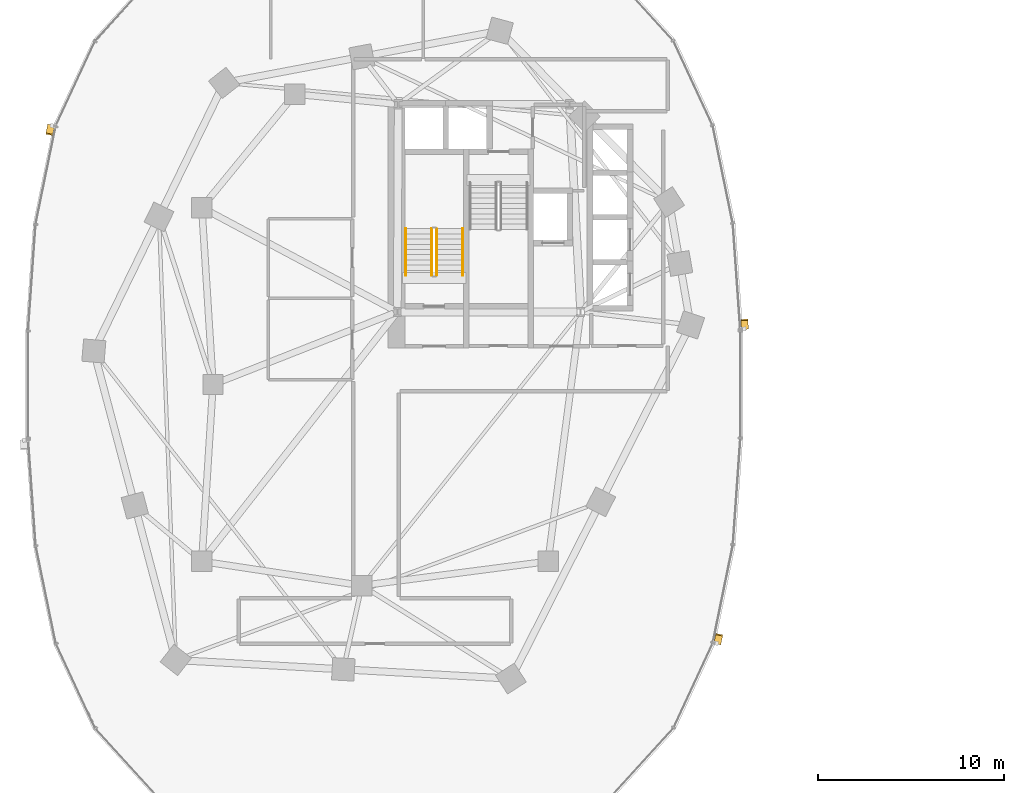
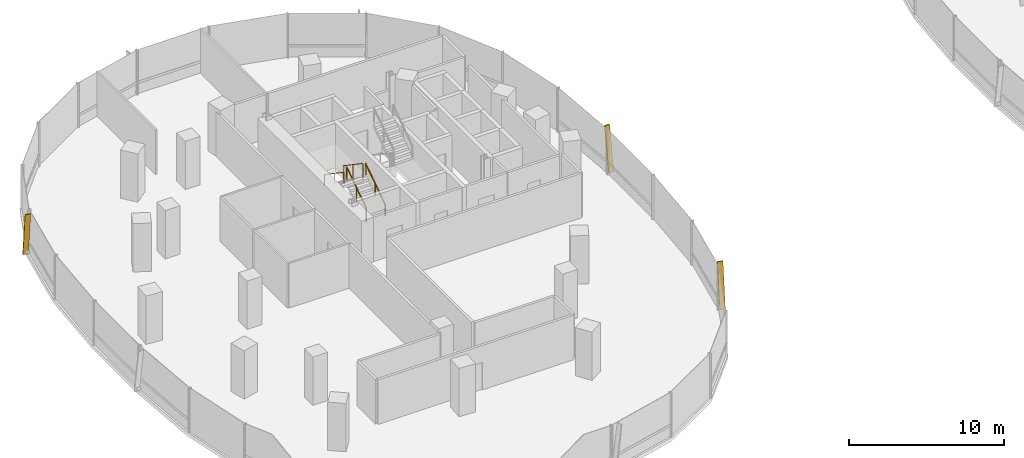
# One storey, part 18 of 21: 4 railings, 3 shading devices.
"""IFC4 building model written with IfcOpenShell, lengths in metres."""

from ifc_helpers import new_model, si_unit, direction, frame, origin, origin_2d, place, context, subcontext, project, spatial, rectangle, extrude, material, material_profile, profile_set, type_object, element, save


model = new_model("IFC4")

# Units and contexts
model_context = context("Model", 3, precision=1e-05, world=origin(), true_north=direction((0.0, 1.0)))
body_context = subcontext(model_context, "Body", "Model", "MODEL_VIEW")
ifc_project = project(units=[si_unit("LENGTHUNIT", "METRE"), si_unit("AREAUNIT", "SQUARE_METRE"), si_unit("VOLUMEUNIT", "CUBIC_METRE"), si_unit("PLANEANGLEUNIT", "RADIAN"), si_unit("MASSUNIT", "GRAM", prefix="KILO"), si_unit("THERMODYNAMICTEMPERATUREUNIT", "KELVIN"), si_unit("POWERUNIT", "WATT")], contexts=[model_context])

# Site, building, storey
site_placement = place(None, origin())
site = spatial("IfcSite", under=ifc_project, at=site_placement, CompositionType="ELEMENT")
building_placement = place(site_placement, origin())
building = spatial("IfcBuilding", under=site, at=building_placement, Name="Cundina Bronze Exchange", CompositionType="ELEMENT")
storey_placement = place(building_placement, frame((0.0, 0.0, 69.60009765625)))
storey = spatial("IfcBuildingStorey", under=building, at=storey_placement, Name="L17", CompositionType="ELEMENT", Elevation=69.60009765625)

# Railings
ifc_material_1 = material(Name="Steel ASTM A36 Painted", Category="steel")
railing_type_1 = type_object("IfcRailingType", Name="RLG-HND-900", PredefinedType="HANDRAIL", material=ifc_material_1)
railing_1_placement = place(storey_placement, frame((-27.7900390625, 5.85009765625, 0.18994140625)))
element("IfcRailing", 1, at=railing_1_placement, inside=storey, type_object=railing_type_1, Name="L17 ST-W1 stair handrail 1", PredefinedType="HANDRAIL", context=body_context, shape_type="SweptSolid", body=[
    extrude(rectangle(XDim=0.048095703125, YDim=0.048095703125, at=origin_2d()), frame((0.0, 0.0, 0.8759765625), z_axis=(0.0, 0.827483756001, 0.561489655786), x_axis=(-1.0, 0.0, 0.0)), (0.0, 0.0, 1.0), 3.04541015625),
    extrude(rectangle(XDim=0.0419921875, YDim=0.0419921875, at=origin_2d()), origin(), (0.0, 0.0, 1.0), 0.851806640625),
    extrude(rectangle(XDim=0.0419921875, YDim=0.0419921875, at=origin_2d()), frame((0.0, 1.260009765625, 0.85498046875)), (0.0, 0.0, 1.0), 0.851806640625),
    extrude(rectangle(XDim=0.0419921875, YDim=0.0419921875, at=origin_2d()), frame((0.0, 2.52001953125, 1.7099609375)), (0.0, 0.0, 1.0), 0.851806640625),
])
railing_2_placement = place(storey_placement, frame((-30.85009765625, 8.3701171875, 2.08984375)))
element("IfcRailing", 2, at=railing_2_placement, inside=storey, type_object=railing_type_1, Name="L17 ST-W1 stair handrail 2", PredefinedType="HANDRAIL", context=body_context, shape_type="SweptSolid", body=[
    extrude(rectangle(XDim=0.048095703125, YDim=0.048095703125, at=origin_2d()), frame((0.0, 0.0, 0.8759765625), z_axis=(0.0, -0.827483756001, 0.561489655786), x_axis=(1.0, 0.0, 0.0)), (0.0, 0.0, 1.0), 3.04541015625),
    extrude(rectangle(XDim=0.0419921875, YDim=0.0419921875, at=origin_2d()), origin(), (0.0, 0.0, 1.0), 0.851806640625),
    extrude(rectangle(XDim=0.0419921875, YDim=0.0419921875, at=origin_2d()), frame((0.0, -1.260009765625, 0.85498046875)), (0.0, 0.0, 1.0), 0.851806640625),
    extrude(rectangle(XDim=0.0419921875, YDim=0.0419921875, at=origin_2d()), frame((0.0, -2.52001953125, 1.7099609375)), (0.0, 0.0, 1.0), 0.851806640625),
])
railing_type_2 = type_object("IfcRailingType", Name="RLG-STG-1100", PredefinedType="GUARDRAIL", material=ifc_material_1)
railing_3_placement = place(storey_placement, frame((-29.18994140625, 5.85009765625, 0.18994140625)))
element("IfcRailing", 3, at=railing_3_placement, inside=storey, type_object=railing_type_2, Name="L17 ST-W1 stair guard 1", PredefinedType="GUARDRAIL", context=body_context, shape_type="SweptSolid", body=[
    extrude(rectangle(XDim=0.048095703125, YDim=0.048095703125, at=origin_2d()), frame((0.0, 0.0, 1.076171875), z_axis=(0.0, 0.827483756001, 0.561489655786), x_axis=(-1.0, 0.0, 0.0)), (0.0, 0.0, 1.0), 3.04541015625),
    extrude(rectangle(XDim=0.0419921875, YDim=0.0419921875, at=origin_2d()), origin(), (0.0, 0.0, 1.0), 1.052001953125),
    extrude(rectangle(XDim=0.0419921875, YDim=0.0419921875, at=origin_2d()), frame((0.0, 1.260009765625, 0.85498046875)), (0.0, 0.0, 1.0), 1.052001953125),
    extrude(rectangle(XDim=0.0419921875, YDim=0.0419921875, at=origin_2d()), frame((0.0, 2.52001953125, 1.7099609375)), (0.0, 0.0, 1.0), 1.052001953125),
])
railing_4_placement = place(storey_placement, frame((-29.449951171875, 8.3701171875, 2.08984375)))
element("IfcRailing", 4, at=railing_4_placement, inside=storey, type_object=railing_type_2, Name="L17 ST-W1 stair guard 3", PredefinedType="GUARDRAIL", context=body_context, shape_type="SweptSolid", body=[
    extrude(rectangle(XDim=0.048095703125, YDim=0.048095703125, at=origin_2d()), frame((0.0, 0.0, 1.076171875), z_axis=(0.0, -0.827483756001, 0.561489655786), x_axis=(1.0, 0.0, 0.0)), (0.0, 0.0, 1.0), 3.04541015625),
    extrude(rectangle(XDim=0.0419921875, YDim=0.0419921875, at=origin_2d()), origin(), (0.0, 0.0, 1.0), 1.052001953125),
    extrude(rectangle(XDim=0.0419921875, YDim=0.0419921875, at=origin_2d()), frame((0.0, -1.260009765625, 0.85498046875)), (0.0, 0.0, 1.0), 1.052001953125),
    extrude(rectangle(XDim=0.0419921875, YDim=0.0419921875, at=origin_2d()), frame((0.0, -2.52001953125, 1.7099609375)), (0.0, 0.0, 1.0), 1.052001953125),
])

# Shading devices
ifc_material_2 = material(Name="Anodised Bronze Aluminium 6063-T6", Category="aluminium")
ifc_material_profile = material_profile(ifc_material_2, rectangle(XDim=0.070068359375, YDim=0.3798828125, at=origin_2d()), Name="FIN70X380", Category="aluminium")
ifc_profile_set = profile_set([ifc_material_profile], Name="Anodised Bronze Aluminium 6063-T6")
shading_device_type = type_object("IfcShadingDeviceType", Name="SHD-FIN-BRZ380", PredefinedType="USERDEFINED", material=ifc_profile_set)
for number, where, z_axis, x_axis, name in (
    (5, (-12.6259765625, 2.993896484375, 0.02001953125), (-0.009645159174, 0.137059109714, 0.990515911709), (0.06953288269, -0.988072340253, 0.137398066402), "L17 Diagonal Bronze Solar Fin 1"),
    (6, (-49.89599609375, 13.911865234375, 0.02001953125), (-0.027747134956, -0.134612045151, 0.990509815096), (0.199966585563, 0.970114971774, 0.137442010309), "L17 Diagonal Bronze Solar Fin 5"),
    (7, (-14.10400390625, -13.911865234375, 0.02001953125), (0.027747134956, 0.134612045151, 0.990509815096), (-0.199966585563, -0.970114971774, 0.137442010309), "L17 Diagonal Bronze Solar Fin 5"),
):
    element("IfcShadingDevice", number, at=place(storey_placement, frame(where, z_axis=z_axis, x_axis=x_axis)), inside=storey, type_object=shading_device_type, Name=name, ObjectType="FIN", PredefinedType="USERDEFINED", context=body_context, shape_type="SweptSolid", body=[
        extrude(rectangle(XDim=0.070068359375, YDim=0.3798828125, at=origin_2d()), origin(), (0.0, 0.0, 1.0), 3.4931640625),
    ])

save(model, "model.ifc")
